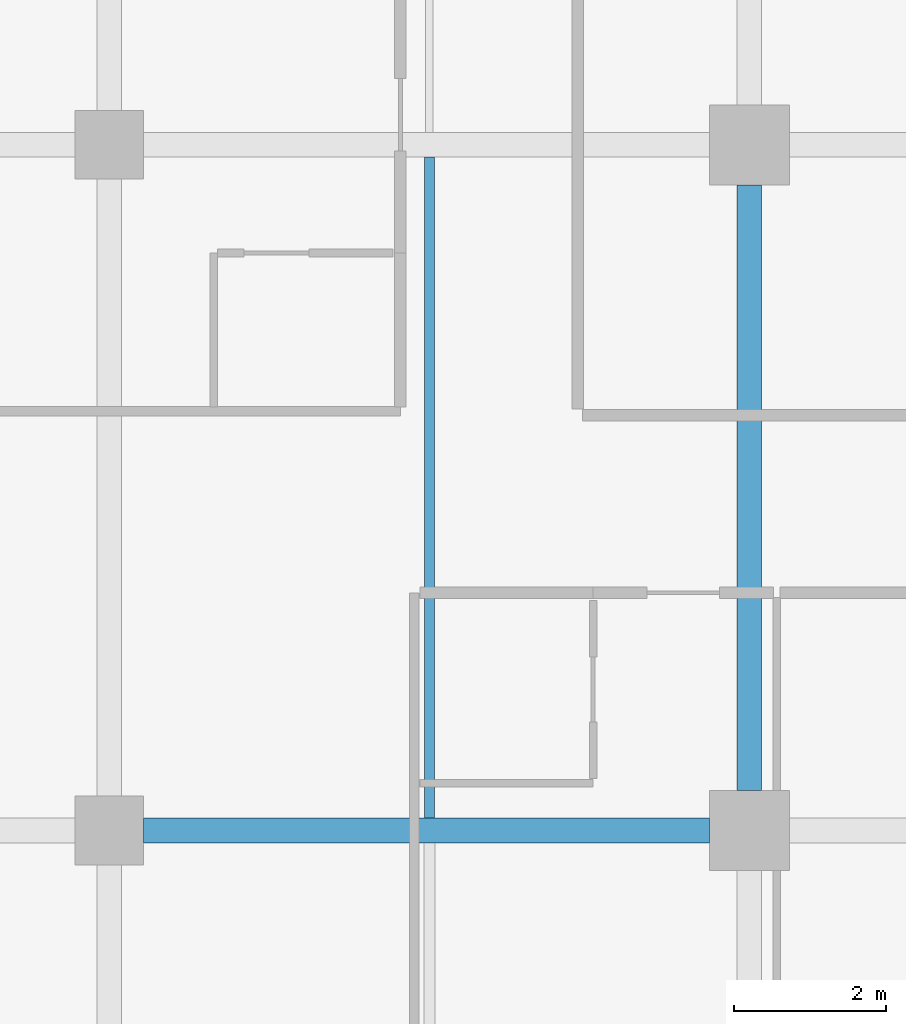
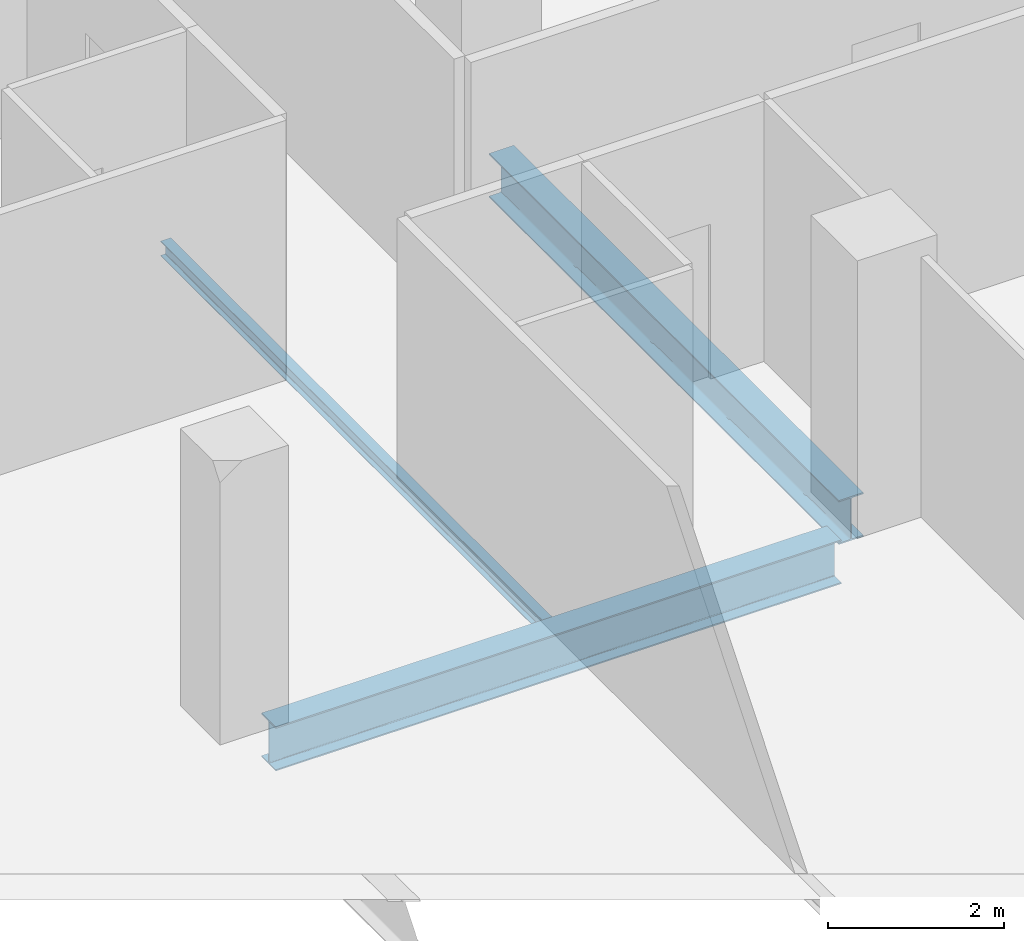
# One storey, part 6 of 40: 3 beams.
"""IFC4 building model written with IfcOpenShell, lengths in metres."""

from ifc_helpers import new_model, si_unit, direction, frame, origin, origin_2d, place, context, subcontext, project, spatial, i_section, extrude, material, material_profile, profile_set, type_object, element, save


model = new_model("IFC4")

# Units and contexts
model_context = context("Model", 3, precision=1e-05, world=origin(), true_north=direction((0.0, 1.0)))
body_context = subcontext(model_context, "Body", "Model", "MODEL_VIEW")
ifc_project = project(units=[si_unit("LENGTHUNIT", "METRE"), si_unit("AREAUNIT", "SQUARE_METRE"), si_unit("VOLUMEUNIT", "CUBIC_METRE"), si_unit("PLANEANGLEUNIT", "RADIAN"), si_unit("MASSUNIT", "GRAM", prefix="KILO")], contexts=[model_context])

# Site, building, storey
site_placement = place(None, origin())
site = spatial("IfcSite", under=ifc_project, at=site_placement, CompositionType="ELEMENT")
building_placement = place(site_placement, origin())
building = spatial("IfcBuilding", under=site, at=building_placement, Name="Maruvema Waterfront Hotel and Observation Tower", CompositionType="ELEMENT")
storey_placement = place(building_placement, frame((0.0, 0.0, 92.39990234375)))
storey = spatial("IfcBuildingStorey", under=building, at=storey_placement, Name="L22", CompositionType="ELEMENT", Elevation=92.39990234375)

# Beams
ifc_material_1 = material(Name="Steel ASTM A572 Grade 50", Category="steel")
ifc_material_profile_1 = material_profile(ifc_material_1, i_section(OverallWidth=0.323974609375, OverallDepth=0.611083984375, WebThickness=0.0126953125, FlangeThickness=0.01904296875, FilletRadius=0.01806640625, at=origin_2d()), Name="W610x155.0")
ifc_profile_set_1 = profile_set([ifc_material_profile_1], Name="Steel ASTM A572 Grade 50")
beam_type_1 = type_object("IfcBeamType", Name="Primary Floor Girder W610x155.0", PredefinedType="BEAM", material=ifc_profile_set_1)
beam_1_placement = place(storey_placement, frame((17.25, 9.0, -0.54541015625), z_axis=(1.0, 0.0, 0.0), x_axis=(0.0, 1.0, 0.0)))
element("IfcBeam", 1, at=beam_1_placement, inside=storey, type_object=beam_type_1, Name="L22 Floor Girder EW-07", PredefinedType="BEAM", context=body_context, shape_type="SweptSolid", body=[
    extrude(i_section(OverallWidth=0.323974609375, OverallDepth=0.611083984375, WebThickness=0.0126953125, FlangeThickness=0.01904296875, FilletRadius=0.01806640625, at=origin_2d()), origin(), (0.0, 0.0, 1.0), 7.425048828125),
])
beam_2_placement = place(storey_placement, frame((25.199951171875, 9.52490234375, -0.54541015625), z_axis=(0.0, 1.0, 0.0), x_axis=(-1.0, 0.0, 0.0)))
element("IfcBeam", 2, at=beam_2_placement, inside=storey, type_object=beam_type_1, Name="L22 Floor Girder NS-12", PredefinedType="BEAM", context=body_context, shape_type="SweptSolid", body=[
    extrude(i_section(OverallWidth=0.323974609375, OverallDepth=0.611083984375, WebThickness=0.0126953125, FlangeThickness=0.01904296875, FilletRadius=0.01806640625, at=origin_2d()), origin(), (0.0, 0.0, 1.0), 7.9501953125),
])
ifc_material_2 = material(Name="Steel ASTM A572 Grade 50", Category="steel")
ifc_material_profile_2 = material_profile(ifc_material_2, i_section(OverallWidth=0.133056640625, OverallDepth=0.20703125, WebThickness=0.005859375, FlangeThickness=0.00830078125, FilletRadius=0.010009765625, at=origin_2d()), Name="W200x26.6")
ifc_profile_set_2 = profile_set([ifc_material_profile_2], Name="Steel ASTM A572 Grade 50")
beam_type_2 = type_object("IfcBeamType", Name="Secondary Floor Joist W200x26.6", PredefinedType="JOIST", material=ifc_profile_set_2)
beam_3_placement = place(storey_placement, frame((21.0, 9.162109375, -0.343505859375), z_axis=(0.0, 1.0, 0.0), x_axis=(-1.0, 0.0, 0.0)))
element("IfcBeam", 3, at=beam_3_placement, inside=storey, type_object=beam_type_2, Name="L22 Secondary Floor Joist JS-06", PredefinedType="JOIST", context=body_context, shape_type="SweptSolid", body=[
    extrude(i_section(OverallWidth=0.133056640625, OverallDepth=0.20703125, WebThickness=0.005859375, FlangeThickness=0.00830078125, FilletRadius=0.010009765625, at=origin_2d()), origin(), (0.0, 0.0, 1.0), 8.67578125),
])

save(model, "model.ifc")
